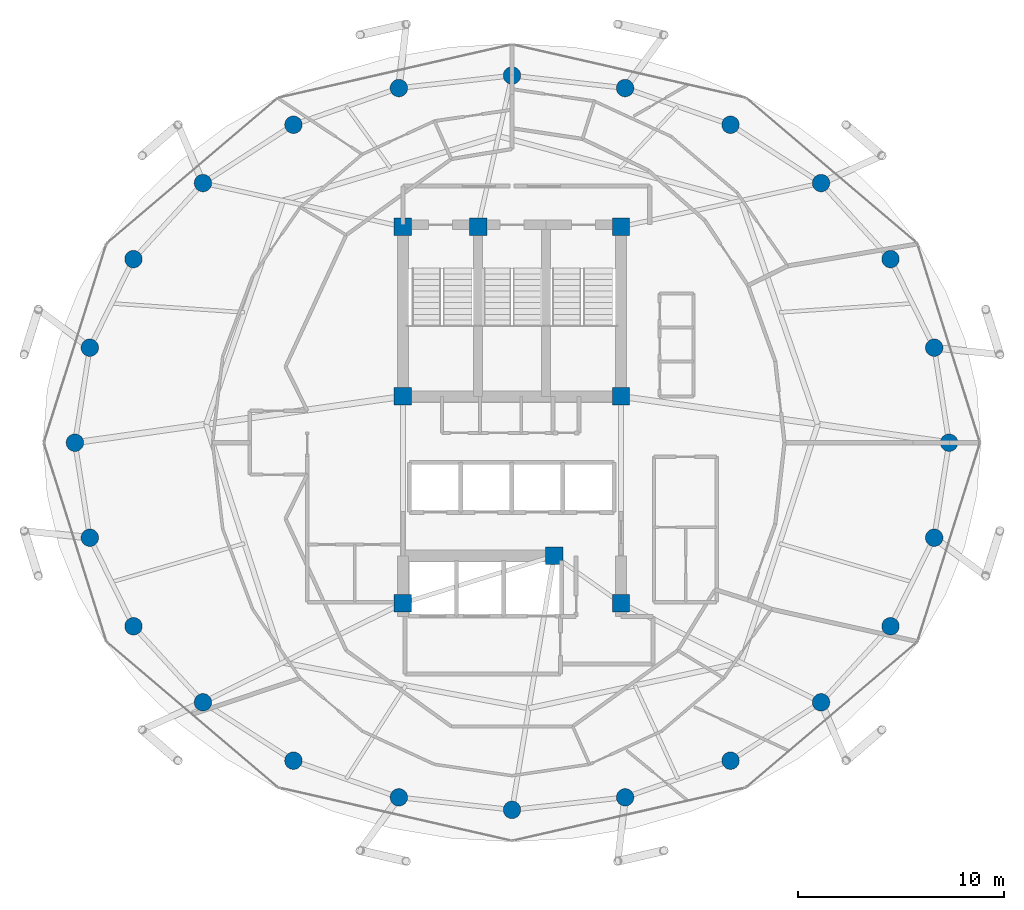
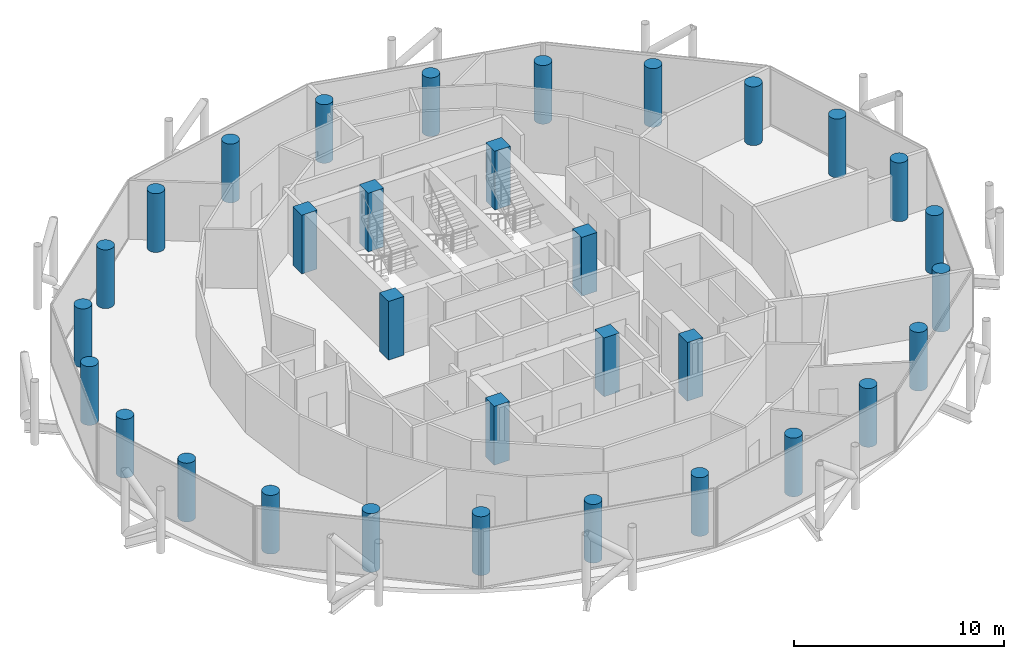
# One storey, part 1 of 27: 32 columns.
"""IFC4 building model written with IfcOpenShell, lengths in metres."""

from ifc_helpers import new_model, si_unit, direction, frame, origin, origin_2d, place, context, subcontext, project, spatial, rectangle, circle, extrude, material, material_profile, profile_set, type_object, element, save


model = new_model("IFC4")

# Units and contexts
model_context = context("Model", 3, precision=1e-05, world=origin(), true_north=direction((0.0, 1.0)))
body_context = subcontext(model_context, "Body", "Model", "MODEL_VIEW")
ifc_project = project(units=[si_unit("LENGTHUNIT", "METRE"), si_unit("AREAUNIT", "SQUARE_METRE"), si_unit("VOLUMEUNIT", "CUBIC_METRE"), si_unit("PLANEANGLEUNIT", "RADIAN"), si_unit("MASSUNIT", "GRAM", prefix="KILO")], contexts=[model_context])

# Site, building, storey
site_placement = place(None, origin())
site = spatial("IfcSite", under=ifc_project, at=site_placement, CompositionType="ELEMENT")
building_placement = place(site_placement, origin())
building = spatial("IfcBuilding", under=site, at=building_placement, Name="Nuhasar Tower", CompositionType="ELEMENT")
storey_placement = place(building_placement, frame((0.0, 0.0, 233.699951171875)))
storey = spatial("IfcBuildingStorey", under=building, at=storey_placement, Name="L57", CompositionType="ELEMENT", Elevation=233.699951171875)

# Columns
ifc_material = material(Name="Concrete C55/67", Category="concrete")
ifc_material_profile_1 = material_profile(ifc_material, circle(Radius=0.425048828125, at=origin_2d()), Name="CFT850")
ifc_profile_set_1 = profile_set([ifc_material_profile_1], Name="Concrete C55/67")
column_type_1 = type_object("IfcColumnType", Name="COL-CFT-850", PredefinedType="COLUMN", material=ifc_profile_set_1)
for number, where, z_axis, x_axis, name in (
    (1, (60.25, 26.800048828125, 0.0), (0.0, 0.0, 1.0), (1.0, 0.0, 0.0), "L57 Perimeter Composite Column TC-01"),
    (2, (59.52587890625, 31.419921875, 0.0), (0.0, 0.0, 1.0), (1.0, 0.0, 0.0), "L57 Perimeter Composite Column TC-02"),
    (3, (57.403076171875, 35.72509765625, 0.0), (0.0, 0.0, 1.0), (1.0, 0.0, 0.0), "L57 Perimeter Composite Column TC-03"),
    (4, (54.02587890625, 39.422119140625, 0.0), (0.0, 0.0, 1.0), (1.0, 0.0, 0.0), "L57 Perimeter Composite Column TC-04"),
    (5, (49.625, 42.259033203125, 0.0), (0.0, 0.0, 1.0), (1.0, 0.0, 0.0), "L57 Perimeter Composite Column TC-05"),
    (6, (44.5, 44.0419921875, 0.0), (0.0, 0.0, 1.0), (1.0, 0.0, 0.0), "L57 Perimeter Composite Column TC-06"),
    (7, (39.0, 44.64990234375, 0.0), (0.0, 0.0, 1.0), (1.0, 0.0, 0.0), "L57 Perimeter Composite Column TC-07"),
    (8, (33.5, 44.0419921875, 0.0), (0.0, 0.0, 1.0), (1.0, 0.0, 0.0), "L57 Perimeter Composite Column TC-08"),
    (9, (28.375, 42.259033203125, 0.0), (0.0, 0.0, 1.0), (1.0, 0.0, 0.0), "L57 Perimeter Composite Column TC-09"),
    (10, (23.97412109375, 39.422119140625, 0.0), (0.0, 0.0, 1.0), (1.0, 0.0, 0.0), "L57 Perimeter Composite Column TC-10"),
    (11, (20.596923828125, 35.72509765625, 0.0), (0.0, 0.0, 1.0), (1.0, 0.0, 0.0), "L57 Perimeter Composite Column TC-11"),
    (12, (18.47412109375, 31.419921875, 0.0), (0.0, 0.0, 1.0), (1.0, 0.0, 0.0), "L57 Perimeter Composite Column TC-12"),
    (13, (17.75, 26.800048828125, 0.0), (0.0, 0.0, 1.0), (1.0, 0.0, 0.0), "L57 Perimeter Composite Column TC-13"),
    (14, (18.47412109375, 22.179931640625, 0.0), (0.0, 0.0, 1.0), (1.0, 0.0, 0.0), "L57 Perimeter Composite Column TC-14"),
    (15, (20.596923828125, 17.875, 0.0), (0.0, 0.0, 1.0), (1.0, 0.0, 0.0), "L57 Perimeter Composite Column TC-15"),
    (16, (23.97412109375, 14.177978515625, 0.0), (0.0, 0.0, 1.0), (1.0, 0.0, 0.0), "L57 Perimeter Composite Column TC-16"),
    (17, (28.375, 11.341064453125, 0.0), (0.0, 0.0, 1.0), (1.0, 0.0, 0.0), "L57 Perimeter Composite Column TC-17"),
    (18, (33.5, 9.55810546875, 0.0), (0.0, 0.0, 1.0), (1.0, 0.0, 0.0), "L57 Perimeter Composite Column TC-18"),
    (19, (39.0, 8.949951171875, 0.0), (0.0, 0.0, 1.0), (1.0, 0.0, 0.0), "L57 Perimeter Composite Column TC-19"),
    (20, (44.5, 9.55810546875, 0.0), (0.0, 0.0, 1.0), (1.0, 0.0, 0.0), "L57 Perimeter Composite Column TC-20"),
    (21, (49.625, 11.341064453125, 0.0), (0.0, 0.0, 1.0), (1.0, 0.0, 0.0), "L57 Perimeter Composite Column TC-21"),
    (22, (54.02587890625, 14.177978515625, 0.0), (0.0, 0.0, 1.0), (1.0, 0.0, 0.0), "L57 Perimeter Composite Column TC-22"),
    (23, (57.403076171875, 17.875, 0.0), (0.0, 0.0, 1.0), (1.0, 0.0, 0.0), "L57 Perimeter Composite Column TC-23"),
    (24, (59.52587890625, 22.179931640625, 0.0), (0.0, 0.0, 1.0), (1.0, 0.0, 0.0), "L57 Perimeter Composite Column TC-24"),
):
    element("IfcColumn", number, at=place(storey_placement, frame(where, z_axis=z_axis, x_axis=x_axis)), inside=storey, type_object=column_type_1, Name=name, PredefinedType="COLUMN", context=body_context, shape_type="SweptSolid", body=[
        extrude(circle(Radius=0.425048828125, at=origin_2d()), origin(), (0.0, 0.0, 1.0), 3.41015625),
    ])
ifc_material_profile_2 = material_profile(ifc_material, rectangle(XDim=0.85009765625, YDim=0.85009765625, at=origin_2d()), Name="RC850X850")
ifc_profile_set_2 = profile_set([ifc_material_profile_2], Name="Concrete C55/67")
column_type_2 = type_object("IfcColumnType", Name="PIL-RC-850", PredefinedType="PILASTER", material=ifc_profile_set_2)
for number, where, z_axis, x_axis, name in (
    (25, (33.699951171875, 19.0, 0.0), (0.0, 0.0, 1.0), (1.0, 0.0, 0.0), "L57 Core Boundary Pilaster CC-01"),
    (26, (41.050048828125, 21.300048828125, 0.0), (0.0, 0.0, 1.0), (1.0, 0.0, 0.0), "L57 Core Boundary Pilaster CC-02"),
    (27, (44.300048828125, 19.0, 0.0), (0.0, 0.0, 1.0), (1.0, 0.0, 0.0), "L57 Core Boundary Pilaster CC-03"),
    (28, (44.300048828125, 29.050048828125, 0.0), (0.0, 0.0, 1.0), (1.0, 0.0, 0.0), "L57 Core Boundary Pilaster CC-04"),
    (29, (44.300048828125, 37.300048828125, 0.0), (0.0, 0.0, 1.0), (1.0, 0.0, 0.0), "L57 Core Boundary Pilaster CC-05"),
    (30, (37.35009765625, 37.300048828125, 0.0), (0.0, 0.0, 1.0), (1.0, 0.0, 0.0), "L57 Core Boundary Pilaster CC-06"),
    (31, (33.699951171875, 37.300048828125, 0.0), (0.0, 0.0, 1.0), (1.0, 0.0, 0.0), "L57 Core Boundary Pilaster CC-07"),
    (32, (33.699951171875, 29.050048828125, 0.0), (0.0, 0.0, 1.0), (1.0, 0.0, 0.0), "L57 Core Boundary Pilaster CC-08"),
):
    element("IfcColumn", number, at=place(storey_placement, frame(where, z_axis=z_axis, x_axis=x_axis)), inside=storey, type_object=column_type_2, Name=name, PredefinedType="PILASTER", context=body_context, shape_type="SweptSolid", body=[
        extrude(rectangle(XDim=0.85009765625, YDim=0.85009765625, at=origin_2d()), origin(), (0.0, 0.0, 1.0), 3.41015625),
    ])

save(model, "model.ifc")
